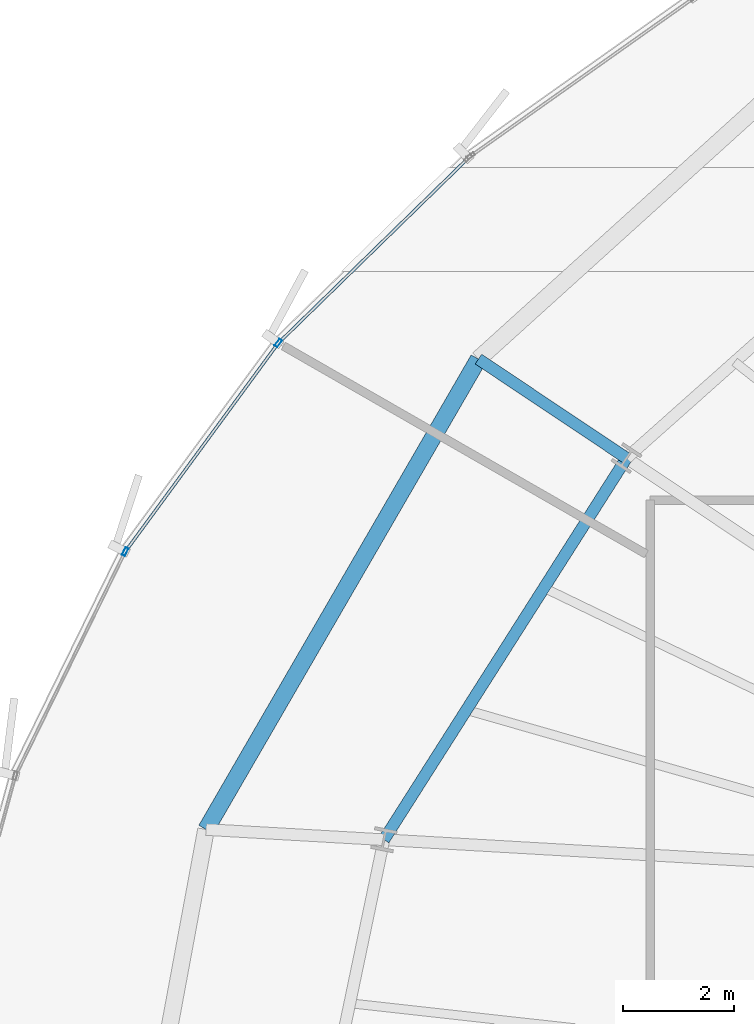
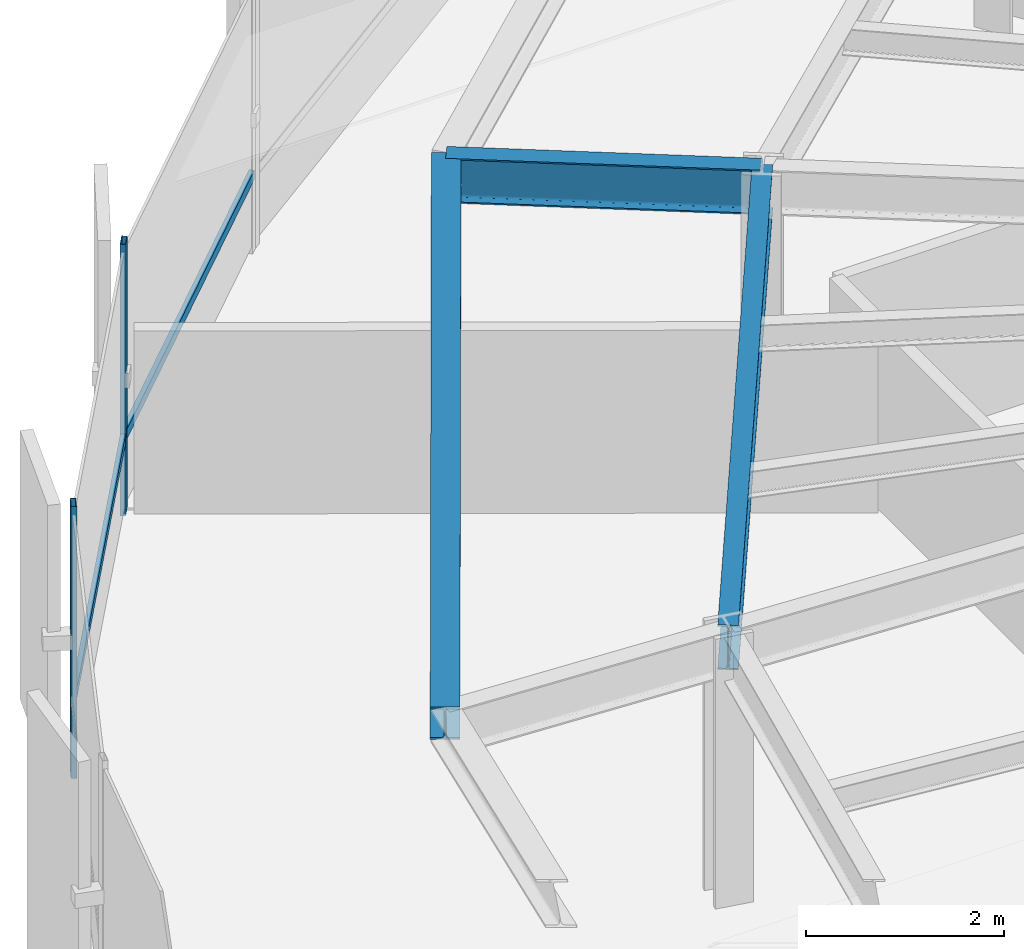
# One storey, part 17 of 35: 4 members, 3 beams, 1 element without a shape of its own.
"""IFC4 building model written with IfcOpenShell, lengths in metres."""

from ifc_helpers import new_model, si_unit, direction, frame, origin, origin_2d, place, context, subcontext, project, spatial, hollow_rectangle, i_section, extrude, source, transform, mapped, material, layer, layer_set, material_profile, profile_set, type_object, element, aggregate, save


model = new_model("IFC4")

# Units and contexts
model_context = context("Model", 3, precision=1e-05, world=origin(), true_north=direction((0.0, 1.0)))
body_context = subcontext(model_context, "Body", "Model", "MODEL_VIEW")
ifc_project = project(units=[si_unit("LENGTHUNIT", "METRE"), si_unit("AREAUNIT", "SQUARE_METRE"), si_unit("VOLUMEUNIT", "CUBIC_METRE"), si_unit("PLANEANGLEUNIT", "RADIAN"), si_unit("MASSUNIT", "GRAM", prefix="KILO"), si_unit("THERMODYNAMICTEMPERATUREUNIT", "KELVIN")], contexts=[model_context])

# Site, building, storey
site_placement = place(None, origin())
site = spatial("IfcSite", under=ifc_project, at=site_placement, CompositionType="ELEMENT")
building_placement = place(site_placement, origin())
building = spatial("IfcBuilding", under=site, at=building_placement, Name="Kethvar Cultural Tower", CompositionType="ELEMENT")
storey_placement = place(building_placement, frame((0.0, 0.0, 92.800048828125)))
storey = spatial("IfcBuildingStorey", under=building, at=storey_placement, Name="L22", CompositionType="ELEMENT", Elevation=92.800048828125)

# Beams
ifc_material_1 = material(Name="Steel S355J2", Category="steel")
ifc_material_profile_1 = material_profile(ifc_material_1, i_section(OverallWidth=0.2099609375, OverallDepth=0.550048828125, WebThickness=0.010986328125, FlangeThickness=0.01708984375, FilletRadius=0.02392578125, at=origin_2d()), Name="Steel S355J2 — IPE550")
ifc_profile_set_1 = profile_set([ifc_material_profile_1], Name="Steel S355J2 — IPE550")
beam_type_1 = type_object("IfcBeamType", Name="BM-IPE550", PredefinedType="BEAM", material=ifc_profile_set_1)
shared_shape_1 = source(origin(), body_context, "Body", "SweptSolid", [
    extrude(i_section(OverallWidth=0.2099609375, OverallDepth=0.550048828125, WebThickness=0.010986328125, FlangeThickness=0.01708984375, FilletRadius=0.02392578125, at=origin_2d()), origin(), (0.0, 0.0, 1.0), 3.199951171875),
])
beam_1_placement = place(storey_placement, frame((30.345947265625, 38.794189453125, 3.072998046875), z_axis=(-0.831462943996, 0.555580212716, 0.0), x_axis=(-0.555580212716, -0.831462943996, 0.0)))
element("IfcBeam", 1, at=beam_1_placement, inside=storey, type_object=beam_type_1, Name="L22 Perimeter Cantilever Beam RC-07", PredefinedType="BEAM", context=body_context, shape_type="MappedRepresentation", body=[
    mapped(shared_shape_1, transform((0.0, 0.0, 0.0), scale=1.0)),
])
shared_shape_2 = source(origin(), body_context, "Body", "SweptSolid", [
    extrude(i_section(OverallWidth=0.2099609375, OverallDepth=0.550048828125, WebThickness=0.010986328125, FlangeThickness=0.01708984375, FilletRadius=0.02392578125, at=origin_2d()), origin(), (0.0, 0.0, 1.0), 8.122314453125),
])
beam_2_placement = place(storey_placement, frame((30.345947265625, 38.794189453125, 3.072998046875), z_axis=(-0.536478664647, -0.843913883272, 0.0), x_axis=(0.843913883272, -0.536478664647, 0.0)))
element("IfcBeam", 2, at=beam_2_placement, inside=storey, type_object=beam_type_1, Name="L22 Column Ring Tie Beam CR-07", PredefinedType="BEAM", context=body_context, shape_type="MappedRepresentation", body=[
    mapped(shared_shape_2, transform((0.0, 0.0, 0.0), scale=1.0)),
])
ifc_material_profile_2 = material_profile(ifc_material_1, i_section(OverallWidth=0.300048828125, OverallDepth=0.39990234375, WebThickness=0.013427734375, FlangeThickness=0.02392578125, FilletRadius=0.027099609375, at=origin_2d()), Name="Steel S355J2 — HEB400")
ifc_profile_set_2 = profile_set([ifc_material_profile_2], Name="Steel S355J2 — HEB400")
beam_type_2 = type_object("IfcBeamType", Name="BM-SP400", PredefinedType="SPANDREL", material=ifc_profile_set_2)
shared_shape_3 = source(origin(), body_context, "Body", "SweptSolid", [
    extrude(i_section(OverallWidth=0.300048828125, OverallDepth=0.39990234375, WebThickness=0.013427734375, FlangeThickness=0.02392578125, FilletRadius=0.027099609375, at=origin_2d()), origin(), (0.0, 0.0, 1.0), 9.762939453125),
])
beam_3_placement = place(storey_placement, frame((27.685302734375, 40.572021484375, 3.14794921875), z_axis=(-0.501043170838, -0.865422290536, 0.0), x_axis=(0.865422290536, -0.501043170838, 0.0)))
element("IfcBeam", 3, at=beam_3_placement, inside=storey, type_object=beam_type_2, Name="L22 Perimeter Spandrel Beam SP-07", PredefinedType="SPANDREL", context=body_context, shape_type="MappedRepresentation", body=[
    mapped(shared_shape_3, transform((0.0, 0.0, 0.0), scale=1.0)),
])

# Curtain wall, members
ifc_material_2 = material(Name="Aluminium 6063-T6", Category="aluminium")
ifc_layer = layer(ifc_material_2, 0.179931640625, Name="Aluminium 6063-T6", Category="aluminium")
ifc_layer_set = layer_set([ifc_layer], Name="Aluminium 6063-T6 (180 mm)")
curtain_wall_type = type_object("IfcCurtainWallType", Name="CW-SYS-03-Z2", PredefinedType="NOTDEFINED", material=ifc_layer_set)
curtain_wall_placement = place(storey_placement, origin())
curtain_wall = element("IfcCurtainWall", 4, at=curtain_wall_placement, inside=storey, type_object=curtain_wall_type, Name="L22 Curtain Wall Run 03", PredefinedType="NOTDEFINED")
ifc_material_profile_3 = material_profile(ifc_material_2, hollow_rectangle(XDim=0.06005859375, YDim=0.14990234375, WallThickness=0.0048828125, at=origin_2d()), Name="Aluminium 6063-T6 — RHS150x60x5")
ifc_profile_set_3 = profile_set([ifc_material_profile_3], Name="Aluminium 6063-T6 — RHS150x60x5")
member_type_1 = type_object("IfcMemberType", Name="CW-SYS-03-Z2-MUL", PredefinedType="MULLION", material=ifc_profile_set_3)
shared_shape_4 = source(origin(), body_context, "Body", "SweptSolid", [
    extrude(hollow_rectangle(XDim=0.06005859375, YDim=0.14990234375, WallThickness=0.0048828125, at=origin_2d()), origin(), (0.0, 0.0, 1.0), 3.349853515625),
])
member_1_placement = place(storey_placement, frame((24.09130859375, 40.860595703125, 0.0), z_axis=(0.0, 0.0, 1.0), x_axis=(0.806382678044, -0.591394095803, 0.0)))
member_1 = element("IfcMember", 5, at=member_1_placement, type_object=member_type_1, Name="CW-L22-R03 Mullion 2", PredefinedType="MULLION", context=body_context, shape_type="MappedRepresentation", body=[
    mapped(shared_shape_4, transform((0.0, 0.0, 0.0), scale=1.0)),
])
member_2_placement = place(storey_placement, frame((21.34228515625, 37.114990234375, 0.0), z_axis=(0.0, 0.0, 1.0), x_axis=(0.898012218439, -0.439970516664, 0.0)))
member_2 = element("IfcMember", 6, at=member_2_placement, type_object=member_type_1, Name="CW-L22-R03 Mullion 3", PredefinedType="MULLION", context=body_context, shape_type="MappedRepresentation", body=[
    mapped(shared_shape_4, transform((0.0, 0.0, 0.0), scale=1.0)),
])
ifc_material_profile_4 = material_profile(ifc_material_2, hollow_rectangle(XDim=0.054931640625, YDim=0.1201171875, WallThickness=0.00390625, at=origin_2d()), Name="Aluminium 6063-T6 — RHS120x55x4")
ifc_profile_set_4 = profile_set([ifc_material_profile_4], Name="Aluminium 6063-T6 — RHS120x55x4")
member_type_2 = type_object("IfcMemberType", Name="CW-SYS-03-Z2-TRN", PredefinedType="USERDEFINED", material=ifc_profile_set_4)
shared_shape_5 = source(origin(), body_context, "Body", "SweptSolid", [
    extrude(hollow_rectangle(XDim=0.054931640625, YDim=0.1201171875, WallThickness=0.00390625, at=origin_2d()), origin(), (0.0, 0.0, 1.0), 4.734130859375),
])
member_3_placement = place(storey_placement, frame((27.50048828125, 44.18017578125, 0.949951171875), z_axis=(-0.716226944332, -0.697867440287, 0.0), x_axis=(0.697867440287, -0.716226944332, 0.0)))
member_3 = element("IfcMember", 7, at=member_3_placement, type_object=member_type_2, Name="CW-L22-R03 Transom 1", ObjectType="TRANSOM", PredefinedType="USERDEFINED", context=body_context, shape_type="MappedRepresentation", body=[
    mapped(shared_shape_5, transform((0.0, 0.0, 0.0), scale=1.0)),
])
shared_shape_6 = source(origin(), body_context, "Body", "SweptSolid", [
    extrude(hollow_rectangle(XDim=0.054931640625, YDim=0.1201171875, WallThickness=0.00390625, at=origin_2d()), origin(), (0.0, 0.0, 1.0), 4.580078125),
])
member_4_placement = place(storey_placement, frame((24.06591796875, 40.82568359375, 0.949951171875), z_axis=(-0.591428368243, -0.806357541812, 0.0), x_axis=(0.806357541812, -0.591428368243, 0.0)))
member_4 = element("IfcMember", 8, at=member_4_placement, type_object=member_type_2, Name="CW-L22-R03 Transom 2", ObjectType="TRANSOM", PredefinedType="USERDEFINED", context=body_context, shape_type="MappedRepresentation", body=[
    mapped(shared_shape_6, transform((0.0, 0.0, 0.0), scale=1.0)),
])
aggregate(curtain_wall, [member_1, member_2, member_3, member_4])

save(model, "model.ifc")
